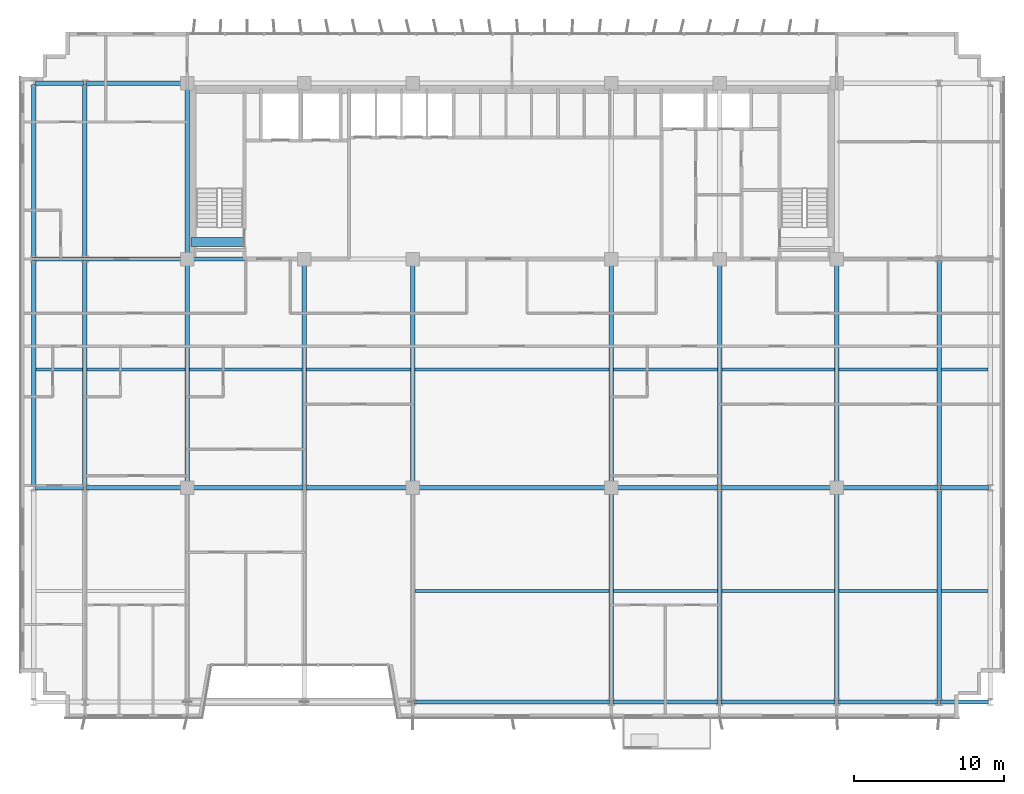
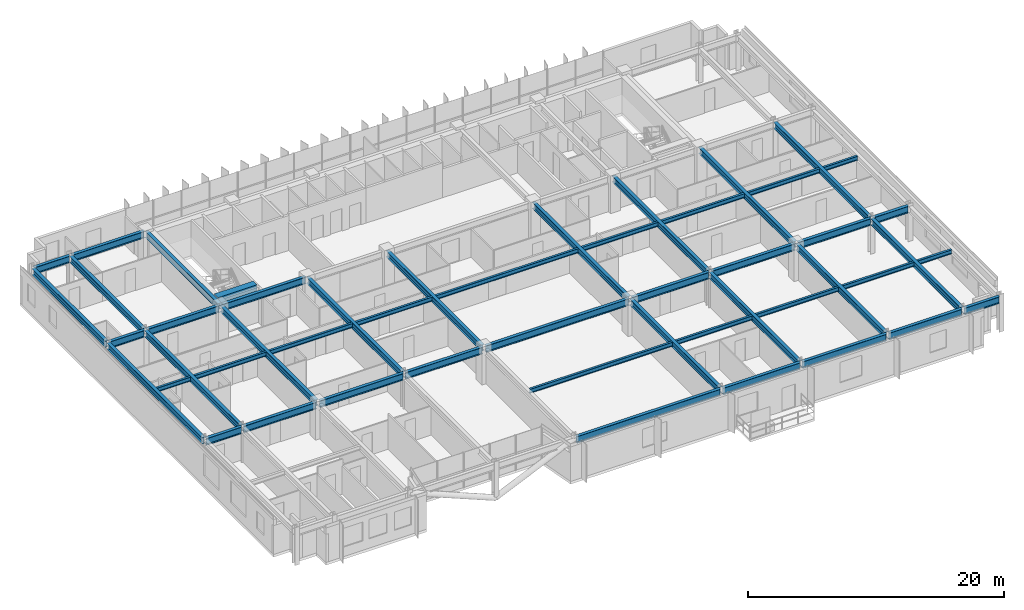
# One storey, part 7 of 25: 50 beams.
"""IFC4 building model written with IfcOpenShell, lengths in metres."""

from ifc_helpers import new_model, si_unit, direction, frame, origin, origin_2d, place, context, subcontext, project, spatial, rectangle, i_section, extrude, source, transform, mapped, material, material_profile, profile_set, type_object, element, save


model = new_model("IFC4")

# Units and contexts
model_context = context("Model", 3, precision=1e-05, world=origin(), true_north=direction((0.0, 1.0)))
body_context = subcontext(model_context, "Body", "Model", "MODEL_VIEW")
ifc_project = project(units=[si_unit("LENGTHUNIT", "METRE"), si_unit("AREAUNIT", "SQUARE_METRE"), si_unit("VOLUMEUNIT", "CUBIC_METRE"), si_unit("PLANEANGLEUNIT", "RADIAN"), si_unit("MASSUNIT", "GRAM", prefix="KILO")], contexts=[model_context])

# Site, building, storey
site_placement = place(None, origin())
site = spatial("IfcSite", under=ifc_project, at=site_placement, CompositionType="ELEMENT")
building_placement = place(site_placement, origin())
building = spatial("IfcBuilding", under=site, at=building_placement, Name="Trelvane Seafront Commons", CompositionType="ELEMENT")
storey_placement = place(building_placement, frame((0.0, 0.0, 66.699951171875)))
storey = spatial("IfcBuildingStorey", under=building, at=storey_placement, Name="L17", CompositionType="ELEMENT", Elevation=66.699951171875)

# Beams
ifc_material_1 = material(Name="Concrete C60/75", Category="concrete")
ifc_material_profile_1 = material_profile(ifc_material_1, rectangle(XDim=0.60009765625, YDim=0.89990234375, at=origin_2d()), Name="RC-600x900")
ifc_profile_set_1 = profile_set([ifc_material_profile_1], Name="Concrete C60/75")
beam_type_1 = type_object("IfcBeamType", Name="STR-LNT-RC600x900", PredefinedType="LINTEL", material=ifc_profile_set_1)
shared_shape_1 = source(origin(), body_context, "Body", "SweptSolid", [
    extrude(rectangle(XDim=0.60009765625, YDim=0.89990234375, at=origin_2d()), origin(), (0.0, 0.0, 1.0), 3.5498046875),
])
beam_1_placement = place(storey_placement, frame((15.85009765625, 34.550048828125, 2.89013671875), z_axis=(1.0, 0.0, 0.0), x_axis=(0.0, 1.0, 0.0)))
element("IfcBeam", 1, at=beam_1_placement, inside=storey, type_object=beam_type_1, Name="L17 Core Coupling Lintel Beam CB-83", PredefinedType="LINTEL", context=body_context, shape_type="MappedRepresentation", body=[
    mapped(shared_shape_1, transform((0.0, 0.0, 0.0), x_axis=(1.0, 0.0, 0.0), y_axis=(0.0, 1.0, 0.0), z_axis=(0.0, 0.0, 1.0), scale=1.0)),
])
ifc_material_2 = material(Name="Steel SM355 (S355)", Category="steel")
ifc_material_profile_2 = material_profile(ifc_material_2, i_section(OverallWidth=0.280029296875, OverallDepth=0.64990234375, WebThickness=0.012939453125, FlangeThickness=0.02197265625, at=origin_2d()), Name="H-650x280x13x22")
ifc_profile_set_2 = profile_set([ifc_material_profile_2], Name="Steel SM355 (S355)")
beam_type_2 = type_object("IfcBeamType", Name="STR-BM-H650", PredefinedType="BEAM", material=ifc_profile_set_2)
shared_shape_2 = source(origin(), body_context, "Body", "SweptSolid", [
    extrude(i_section(OverallWidth=0.280029296875, OverallDepth=0.64990234375, WebThickness=0.012939453125, FlangeThickness=0.02197265625, at=origin_2d()), origin(), (0.0, 0.0, 1.0), 3.190185546875),
])
for number, where, z_axis, x_axis, name in (
    (2, (5.5048828125, 18.199951171875, 3.01513671875), (1.0, 0.0, 0.0), (0.0, 1.0, 0.0), "L17 Primary Girder G-10"),
    (3, (5.5048828125, 33.39990234375, 3.01513671875), (1.0, 0.0, 0.0), (0.0, 1.0, 0.0), "L17 Primary Girder G-19"),
    (4, (5.5048828125, 45.10009765625, 3.01513671875), (1.0, 0.0, 0.0), (0.0, 1.0, 0.0), "L17 Primary Girder G-28"),
):
    element("IfcBeam", number, at=place(storey_placement, frame(where, z_axis=z_axis, x_axis=x_axis)), inside=storey, type_object=beam_type_2, Name=name, PredefinedType="BEAM", context=body_context, shape_type="MappedRepresentation", body=[
        mapped(shared_shape_2, transform((0.0, 0.0, 0.0), x_axis=(1.0, 0.0, 0.0), y_axis=(0.0, 1.0, 0.0), z_axis=(0.0, 0.0, 1.0), scale=1.0)),
    ])
shared_shape_3 = source(origin(), body_context, "Body", "SweptSolid", [
    extrude(i_section(OverallWidth=0.280029296875, OverallDepth=0.64990234375, WebThickness=0.012939453125, FlangeThickness=0.02197265625, at=origin_2d()), origin(), (0.0, 0.0, 1.0), 6.590087890625),
])
beam_2_placement = place(storey_placement, frame((58.905029296875, 3.949951171875, 3.01513671875), z_axis=(1.0, 0.0, 0.0), x_axis=(0.0, 1.0, 0.0)))
element("IfcBeam", 5, at=beam_2_placement, inside=storey, type_object=beam_type_2, Name="L17 Primary Girder G-08", PredefinedType="BEAM", context=body_context, shape_type="MappedRepresentation", body=[
    mapped(shared_shape_3, transform((0.0, 0.0, 0.0), x_axis=(1.0, 0.0, 0.0), y_axis=(0.0, 1.0, 0.0), z_axis=(0.0, 0.0, 1.0), scale=1.0)),
])
shared_shape_4 = source(origin(), body_context, "Body", "SweptSolid", [
    extrude(i_section(OverallWidth=0.280029296875, OverallDepth=0.64990234375, WebThickness=0.012939453125, FlangeThickness=0.02197265625, at=origin_2d()), origin(), (0.0, 0.0, 1.0), 12.989990234375),
])
beam_3_placement = place(storey_placement, frame((30.705078125, 3.949951171875, 3.01513671875), z_axis=(1.0, 0.0, 0.0), x_axis=(0.0, 1.0, 0.0)))
element("IfcBeam", 6, at=beam_3_placement, inside=storey, type_object=beam_type_2, Name="L17 Primary Girder G-05", PredefinedType="BEAM", context=body_context, shape_type="MappedRepresentation", body=[
    mapped(shared_shape_4, transform((0.0, 0.0, 0.0), x_axis=(1.0, 0.0, 0.0), y_axis=(0.0, 1.0, 0.0), z_axis=(0.0, 0.0, 1.0), scale=1.0)),
])
shared_shape_5 = source(origin(), body_context, "Body", "SweptSolid", [
    extrude(i_section(OverallWidth=0.280029296875, OverallDepth=0.64990234375, WebThickness=0.012939453125, FlangeThickness=0.02197265625, at=origin_2d()), origin(), (0.0, 0.0, 1.0), 6.989990234375),
])
beam_4_placement = place(storey_placement, frame((43.905029296875, 3.949951171875, 3.01513671875), z_axis=(1.0, 0.0, 0.0), x_axis=(0.0, 1.0, 0.0)))
element("IfcBeam", 7, at=beam_4_placement, inside=storey, type_object=beam_type_2, Name="L17 Primary Girder G-06", PredefinedType="BEAM", context=body_context, shape_type="MappedRepresentation", body=[
    mapped(shared_shape_5, transform((0.0, 0.0, 0.0), x_axis=(1.0, 0.0, 0.0), y_axis=(0.0, 1.0, 0.0), z_axis=(0.0, 0.0, 1.0), scale=1.0)),
])
shared_shape_6 = source(origin(), body_context, "Body", "SweptSolid", [
    extrude(i_section(OverallWidth=0.280029296875, OverallDepth=0.64990234375, WebThickness=0.012939453125, FlangeThickness=0.02197265625, at=origin_2d()), origin(), (0.0, 0.0, 1.0), 7.590087890625),
])
beam_5_placement = place(storey_placement, frame((51.10498046875, 3.949951171875, 3.01513671875), z_axis=(1.0, 0.0, 0.0), x_axis=(0.0, 1.0, 0.0)))
element("IfcBeam", 8, at=beam_5_placement, inside=storey, type_object=beam_type_2, Name="L17 Primary Girder G-07", PredefinedType="BEAM", context=body_context, shape_type="MappedRepresentation", body=[
    mapped(shared_shape_6, transform((0.0, 0.0, 0.0), x_axis=(1.0, 0.0, 0.0), y_axis=(0.0, 1.0, 0.0), z_axis=(0.0, 0.0, 1.0), scale=1.0)),
])
shared_shape_7 = source(origin(), body_context, "Body", "SweptSolid", [
    extrude(i_section(OverallWidth=0.280029296875, OverallDepth=0.64990234375, WebThickness=0.012939453125, FlangeThickness=0.02197265625, at=origin_2d()), origin(), (0.0, 0.0, 1.0), 3.18994140625),
])
for number, where, z_axis, x_axis, name in (
    (9, (65.705078125, 3.949951171875, 3.01513671875), (1.0, 0.0, 0.0), (0.0, 1.0, 0.0), "L17 Primary Girder G-09"),
    (10, (65.705078125, 18.199951171875, 3.01513671875), (1.0, 0.0, 0.0), (0.0, 1.0, 0.0), "L17 Primary Girder G-18"),
):
    element("IfcBeam", number, at=place(storey_placement, frame(where, z_axis=z_axis, x_axis=x_axis)), inside=storey, type_object=beam_type_2, Name=name, PredefinedType="BEAM", context=body_context, shape_type="MappedRepresentation", body=[
        mapped(shared_shape_7, transform((0.0, 0.0, 0.0), x_axis=(1.0, 0.0, 0.0), y_axis=(0.0, 1.0, 0.0), z_axis=(0.0, 0.0, 1.0), scale=1.0)),
    ])
shared_shape_8 = source(origin(), body_context, "Body", "SweptSolid", [
    extrude(i_section(OverallWidth=0.280029296875, OverallDepth=0.64990234375, WebThickness=0.012939453125, FlangeThickness=0.02197265625, at=origin_2d()), origin(), (0.0, 0.0, 1.0), 6.544921875),
])
for number, where, z_axis, x_axis, name in (
    (11, (8.905029296875, 18.199951171875, 3.01513671875), (1.0, 0.0, 0.0), (0.0, 1.0, 0.0), "L17 Primary Girder G-11"),
    (12, (8.905029296875, 33.39990234375, 3.01513671875), (1.0, 0.0, 0.0), (0.0, 1.0, 0.0), "L17 Primary Girder G-20"),
    (13, (8.905029296875, 45.10009765625, 3.01513671875), (1.0, 0.0, 0.0), (0.0, 1.0, 0.0), "L17 Primary Girder G-29"),
):
    element("IfcBeam", number, at=place(storey_placement, frame(where, z_axis=z_axis, x_axis=x_axis)), inside=storey, type_object=beam_type_2, Name=name, PredefinedType="BEAM", context=body_context, shape_type="MappedRepresentation", body=[
        mapped(shared_shape_8, transform((0.0, 0.0, 0.0), x_axis=(1.0, 0.0, 0.0), y_axis=(0.0, 1.0, 0.0), z_axis=(0.0, 0.0, 1.0), scale=1.0)),
    ])
shared_shape_9 = source(origin(), body_context, "Body", "SweptSolid", [
    extrude(i_section(OverallWidth=0.280029296875, OverallDepth=0.64990234375, WebThickness=0.012939453125, FlangeThickness=0.02197265625, at=origin_2d()), origin(), (0.0, 0.0, 1.0), 7.544921875),
])
for number, where, z_axis, x_axis, name in (
    (14, (15.75, 18.199951171875, 3.01513671875), (1.0, 0.0, 0.0), (0.0, 1.0, 0.0), "L17 Primary Girder G-12"),
    (15, (51.10498046875, 18.199951171875, 3.01513671875), (1.0, 0.0, 0.0), (0.0, 1.0, 0.0), "L17 Primary Girder G-16"),
):
    element("IfcBeam", number, at=place(storey_placement, frame(where, z_axis=z_axis, x_axis=x_axis)), inside=storey, type_object=beam_type_2, Name=name, PredefinedType="BEAM", context=body_context, shape_type="MappedRepresentation", body=[
        mapped(shared_shape_9, transform((0.0, 0.0, 0.0), x_axis=(1.0, 0.0, 0.0), y_axis=(0.0, 1.0, 0.0), z_axis=(0.0, 0.0, 1.0), scale=1.0)),
    ])
shared_shape_10 = source(origin(), body_context, "Body", "SweptSolid", [
    extrude(i_section(OverallWidth=0.280029296875, OverallDepth=0.64990234375, WebThickness=0.012939453125, FlangeThickness=0.02197265625, at=origin_2d()), origin(), (0.0, 0.0, 1.0), 6.945068359375),
])
for number, where, z_axis, x_axis, name in (
    (16, (23.5048828125, 18.199951171875, 3.01513671875), (1.0, 0.0, 0.0), (0.0, 1.0, 0.0), "L17 Primary Girder G-13"),
    (17, (43.949951171875, 18.199951171875, 3.01513671875), (1.0, 0.0, 0.0), (0.0, 1.0, 0.0), "L17 Primary Girder G-15"),
):
    element("IfcBeam", number, at=place(storey_placement, frame(where, z_axis=z_axis, x_axis=x_axis)), inside=storey, type_object=beam_type_2, Name=name, PredefinedType="BEAM", context=body_context, shape_type="MappedRepresentation", body=[
        mapped(shared_shape_10, transform((0.0, 0.0, 0.0), x_axis=(1.0, 0.0, 0.0), y_axis=(0.0, 1.0, 0.0), z_axis=(0.0, 0.0, 1.0), scale=1.0)),
    ])
shared_shape_11 = source(origin(), body_context, "Body", "SweptSolid", [
    extrude(i_section(OverallWidth=0.280029296875, OverallDepth=0.64990234375, WebThickness=0.012939453125, FlangeThickness=0.02197265625, at=origin_2d()), origin(), (0.0, 0.0, 1.0), 12.89990234375),
])
beam_6_placement = place(storey_placement, frame((30.75, 18.199951171875, 3.01513671875), z_axis=(1.0, 0.0, 0.0), x_axis=(0.0, 1.0, 0.0)))
element("IfcBeam", 18, at=beam_6_placement, inside=storey, type_object=beam_type_2, Name="L17 Primary Girder G-14", PredefinedType="BEAM", context=body_context, shape_type="MappedRepresentation", body=[
    mapped(shared_shape_11, transform((0.0, 0.0, 0.0), x_axis=(1.0, 0.0, 0.0), y_axis=(0.0, 1.0, 0.0), z_axis=(0.0, 0.0, 1.0), scale=1.0)),
])
shared_shape_12 = source(origin(), body_context, "Body", "SweptSolid", [
    extrude(i_section(OverallWidth=0.280029296875, OverallDepth=0.64990234375, WebThickness=0.012939453125, FlangeThickness=0.02197265625, at=origin_2d()), origin(), (0.0, 0.0, 1.0), 6.545166015625),
])
beam_7_placement = place(storey_placement, frame((58.949951171875, 18.199951171875, 3.01513671875), z_axis=(1.0, 0.0, 0.0), x_axis=(0.0, 1.0, 0.0)))
element("IfcBeam", 19, at=beam_7_placement, inside=storey, type_object=beam_type_2, Name="L17 Primary Girder G-17", PredefinedType="BEAM", context=body_context, shape_type="MappedRepresentation", body=[
    mapped(shared_shape_12, transform((0.0, 0.0, 0.0), x_axis=(1.0, 0.0, 0.0), y_axis=(0.0, 1.0, 0.0), z_axis=(0.0, 0.0, 1.0), scale=1.0)),
])
shared_shape_13 = source(origin(), body_context, "Body", "SweptSolid", [
    extrude(i_section(OverallWidth=0.280029296875, OverallDepth=0.64990234375, WebThickness=0.012939453125, FlangeThickness=0.02197265625, at=origin_2d()), origin(), (0.0, 0.0, 1.0), 7.5),
])
beam_8_placement = place(storey_placement, frame((15.75, 33.39990234375, 3.01513671875), z_axis=(1.0, 0.0, 0.0), x_axis=(0.0, 1.0, 0.0)))
element("IfcBeam", 20, at=beam_8_placement, inside=storey, type_object=beam_type_2, Name="L17 Primary Girder G-21", PredefinedType="BEAM", context=body_context, shape_type="MappedRepresentation", body=[
    mapped(shared_shape_13, transform((0.0, 0.0, 0.0), x_axis=(1.0, 0.0, 0.0), y_axis=(0.0, 1.0, 0.0), z_axis=(0.0, 0.0, 1.0), scale=1.0)),
])
ifc_material_profile_3 = material_profile(ifc_material_2, i_section(OverallWidth=0.300048828125, OverallDepth=0.587890625, WebThickness=0.011962890625, FlangeThickness=0.02001953125, at=origin_2d()), Name="H-588x300x12x20")
ifc_profile_set_3 = profile_set([ifc_material_profile_3], Name="Steel SM355 (S355)")
beam_type_3 = type_object("IfcBeamType", Name="STR-BM-H588", PredefinedType="BEAM", material=ifc_profile_set_3)
shared_shape_14 = source(origin(), body_context, "Body", "SweptSolid", [
    extrude(i_section(OverallWidth=0.300048828125, OverallDepth=0.587890625, WebThickness=0.011962890625, FlangeThickness=0.02001953125, at=origin_2d()), origin(), (0.0, 0.0, 1.0), 14.0400390625),
])
for number, where, z_axis, x_axis, name in (
    (21, (51.0, 4.054931640625, 3.046142578125), (0.0, 1.0, 0.0), (-1.0, 0.0, 0.0), "L17 Primary Girder G-55"),
    (22, (65.60009765625, 4.054931640625, 3.046142578125), (0.0, 1.0, 0.0), (-1.0, 0.0, 0.0), "L17 Primary Girder G-61"),
):
    element("IfcBeam", number, at=place(storey_placement, frame(where, z_axis=z_axis, x_axis=x_axis)), inside=storey, type_object=beam_type_3, Name=name, PredefinedType="BEAM", context=body_context, shape_type="MappedRepresentation", body=[
        mapped(shared_shape_14, transform((0.0, 0.0, 0.0), x_axis=(1.0, 0.0, 0.0), y_axis=(0.0, 1.0, 0.0), z_axis=(0.0, 0.0, 1.0), scale=1.0)),
    ])
shared_shape_15 = source(origin(), body_context, "Body", "SweptSolid", [
    extrude(i_section(OverallWidth=0.300048828125, OverallDepth=0.587890625, WebThickness=0.011962890625, FlangeThickness=0.02001953125, at=origin_2d()), origin(), (0.0, 0.0, 1.0), 14.989990234375),
])
for number, where, z_axis, x_axis, name in (
    (23, (5.39990234375, 18.304931640625, 3.046142578125), (0.0, 1.0, 0.0), (-1.0, 0.0, 0.0), "L17 Primary Girder G-38"),
    (24, (8.800048828125, 18.304931640625, 3.046142578125), (0.0, 1.0, 0.0), (-1.0, 0.0, 0.0), "L17 Primary Girder G-41"),
    (25, (65.60009765625, 18.304931640625, 3.046142578125), (0.0, 1.0, 0.0), (-1.0, 0.0, 0.0), "L17 Primary Girder G-62"),
):
    element("IfcBeam", number, at=place(storey_placement, frame(where, z_axis=z_axis, x_axis=x_axis)), inside=storey, type_object=beam_type_3, Name=name, PredefinedType="BEAM", context=body_context, shape_type="MappedRepresentation", body=[
        mapped(shared_shape_15, transform((0.0, 0.0, 0.0), x_axis=(1.0, 0.0, 0.0), y_axis=(0.0, 1.0, 0.0), z_axis=(0.0, 0.0, 1.0), scale=1.0)),
    ])
shared_shape_16 = source(origin(), body_context, "Body", "SweptSolid", [
    extrude(i_section(OverallWidth=0.300048828125, OverallDepth=0.587890625, WebThickness=0.011962890625, FlangeThickness=0.02001953125, at=origin_2d()), origin(), (0.0, 0.0, 1.0), 11.490234375),
])
for number, where, z_axis, x_axis, name in (
    (26, (5.39990234375, 33.5048828125, 3.046142578125), (0.0, 1.0, 0.0), (-1.0, 0.0, 0.0), "L17 Primary Girder G-39"),
    (27, (8.800048828125, 33.5048828125, 3.046142578125), (0.0, 1.0, 0.0), (-1.0, 0.0, 0.0), "L17 Primary Girder G-42"),
):
    element("IfcBeam", number, at=place(storey_placement, frame(where, z_axis=z_axis, x_axis=x_axis)), inside=storey, type_object=beam_type_3, Name=name, PredefinedType="BEAM", context=body_context, shape_type="MappedRepresentation", body=[
        mapped(shared_shape_16, transform((0.0, 0.0, 0.0), x_axis=(1.0, 0.0, 0.0), y_axis=(0.0, 1.0, 0.0), z_axis=(0.0, 0.0, 1.0), scale=1.0)),
    ])
shared_shape_17 = source(origin(), body_context, "Body", "SweptSolid", [
    extrude(i_section(OverallWidth=0.300048828125, OverallDepth=0.587890625, WebThickness=0.011962890625, FlangeThickness=0.02001953125, at=origin_2d()), origin(), (0.0, 0.0, 1.0), 13.9951171875),
])
for number, where, z_axis, x_axis, name in (
    (28, (43.800048828125, 4.054931640625, 3.046142578125), (0.0, 1.0, 0.0), (-1.0, 0.0, 0.0), "L17 Primary Girder G-52"),
    (29, (58.800048828125, 4.054931640625, 3.046142578125), (0.0, 1.0, 0.0), (-1.0, 0.0, 0.0), "L17 Primary Girder G-58"),
):
    element("IfcBeam", number, at=place(storey_placement, frame(where, z_axis=z_axis, x_axis=x_axis)), inside=storey, type_object=beam_type_3, Name=name, PredefinedType="BEAM", context=body_context, shape_type="MappedRepresentation", body=[
        mapped(shared_shape_17, transform((0.0, 0.0, 0.0), x_axis=(1.0, 0.0, 0.0), y_axis=(0.0, 1.0, 0.0), z_axis=(0.0, 0.0, 1.0), scale=1.0)),
    ])
shared_shape_18 = source(origin(), body_context, "Body", "SweptSolid", [
    extrude(i_section(OverallWidth=0.300048828125, OverallDepth=0.587890625, WebThickness=0.011962890625, FlangeThickness=0.02001953125, at=origin_2d()), origin(), (0.0, 0.0, 1.0), 14.89990234375),
])
for number, where, z_axis, x_axis, name in (
    (30, (15.60009765625, 18.35009765625, 3.046142578125), (0.0, 1.0, 0.0), (-1.0, 0.0, 0.0), "L17 Primary Girder G-44"),
    (31, (30.60009765625, 18.35009765625, 3.046142578125), (0.0, 1.0, 0.0), (-1.0, 0.0, 0.0), "L17 Primary Girder G-50"),
    (32, (43.800048828125, 18.35009765625, 3.046142578125), (0.0, 1.0, 0.0), (-1.0, 0.0, 0.0), "L17 Primary Girder G-53"),
    (33, (58.800048828125, 18.35009765625, 3.046142578125), (0.0, 1.0, 0.0), (-1.0, 0.0, 0.0), "L17 Primary Girder G-59"),
):
    element("IfcBeam", number, at=place(storey_placement, frame(where, z_axis=z_axis, x_axis=x_axis)), inside=storey, type_object=beam_type_3, Name=name, PredefinedType="BEAM", context=body_context, shape_type="MappedRepresentation", body=[
        mapped(shared_shape_18, transform((0.0, 0.0, 0.0), x_axis=(1.0, 0.0, 0.0), y_axis=(0.0, 1.0, 0.0), z_axis=(0.0, 0.0, 1.0), scale=1.0)),
    ])
shared_shape_19 = source(origin(), body_context, "Body", "SweptSolid", [
    extrude(i_section(OverallWidth=0.300048828125, OverallDepth=0.587890625, WebThickness=0.011962890625, FlangeThickness=0.02001953125, at=origin_2d()), origin(), (0.0, 0.0, 1.0), 11.39990234375),
])
beam_9_placement = place(storey_placement, frame((15.60009765625, 33.550048828125, 3.046142578125), z_axis=(0.0, 1.0, 0.0), x_axis=(-1.0, 0.0, 0.0)))
element("IfcBeam", 34, at=beam_9_placement, inside=storey, type_object=beam_type_3, Name="L17 Primary Girder G-45", PredefinedType="BEAM", context=body_context, shape_type="MappedRepresentation", body=[
    mapped(shared_shape_19, transform((0.0, 0.0, 0.0), x_axis=(1.0, 0.0, 0.0), y_axis=(0.0, 1.0, 0.0), z_axis=(0.0, 0.0, 1.0), scale=1.0)),
])
shared_shape_20 = source(origin(), body_context, "Body", "SweptSolid", [
    extrude(i_section(OverallWidth=0.300048828125, OverallDepth=0.587890625, WebThickness=0.011962890625, FlangeThickness=0.02001953125, at=origin_2d()), origin(), (0.0, 0.0, 1.0), 14.945068359375),
])
for number, where, z_axis, x_axis, name in (
    (35, (23.39990234375, 18.304931640625, 3.046142578125), (0.0, 1.0, 0.0), (-1.0, 0.0, 0.0), "L17 Primary Girder G-47"),
    (36, (51.0, 18.304931640625, 3.046142578125), (0.0, 1.0, 0.0), (-1.0, 0.0, 0.0), "L17 Primary Girder G-56"),
):
    element("IfcBeam", number, at=place(storey_placement, frame(where, z_axis=z_axis, x_axis=x_axis)), inside=storey, type_object=beam_type_3, Name=name, PredefinedType="BEAM", context=body_context, shape_type="MappedRepresentation", body=[
        mapped(shared_shape_20, transform((0.0, 0.0, 0.0), x_axis=(1.0, 0.0, 0.0), y_axis=(0.0, 1.0, 0.0), z_axis=(0.0, 0.0, 1.0), scale=1.0)),
    ])
ifc_material_profile_4 = material_profile(ifc_material_2, i_section(OverallWidth=0.199951171875, OverallDepth=0.39990234375, WebThickness=0.008056640625, FlangeThickness=0.012939453125, at=origin_2d()), Name="H-400x200x8x13")
ifc_profile_set_4 = profile_set([ifc_material_profile_4], Name="Steel SM355 (S355)")
beam_type_4 = type_object("IfcBeamType", Name="STR-JST-H400", PredefinedType="JOIST", material=ifc_profile_set_4)
shared_shape_21 = source(origin(), body_context, "Body", "SweptSolid", [
    extrude(i_section(OverallWidth=0.199951171875, OverallDepth=0.39990234375, WebThickness=0.008056640625, FlangeThickness=0.012939453125, at=origin_2d()), origin(), (0.0, 0.0, 1.0), 3.099853515625),
])
beam_10_placement = place(storey_placement, frame((5.550048828125, 26.050048828125, 3.14013671875), z_axis=(1.0, 0.0, 0.0), x_axis=(0.0, 1.0, 0.0)))
element("IfcBeam", 37, at=beam_10_placement, inside=storey, type_object=beam_type_4, Name="L17 Secondary Floor Joist B-74", PredefinedType="JOIST", context=body_context, shape_type="MappedRepresentation", body=[
    mapped(shared_shape_21, transform((0.0, 0.0, 0.0), x_axis=(1.0, 0.0, 0.0), y_axis=(0.0, 1.0, 0.0), z_axis=(0.0, 0.0, 1.0), scale=1.0)),
])
shared_shape_22 = source(origin(), body_context, "Body", "SweptSolid", [
    extrude(i_section(OverallWidth=0.199951171875, OverallDepth=0.39990234375, WebThickness=0.008056640625, FlangeThickness=0.012939453125, at=origin_2d()), origin(), (0.0, 0.0, 1.0), 6.5),
])
for number, where, z_axis, x_axis, name in (
    (38, (58.949951171875, 11.324951171875, 3.14013671875), (1.0, 0.0, 0.0), (0.0, 1.0, 0.0), "L17 Secondary Floor Joist B-72"),
    (39, (8.949951171875, 26.050048828125, 3.14013671875), (1.0, 0.0, 0.0), (0.0, 1.0, 0.0), "L17 Secondary Floor Joist B-75"),
    (40, (58.949951171875, 26.050048828125, 3.14013671875), (1.0, 0.0, 0.0), (0.0, 1.0, 0.0), "L17 Secondary Floor Joist B-81"),
):
    element("IfcBeam", number, at=place(storey_placement, frame(where, z_axis=z_axis, x_axis=x_axis)), inside=storey, type_object=beam_type_4, Name=name, PredefinedType="JOIST", context=body_context, shape_type="MappedRepresentation", body=[
        mapped(shared_shape_22, transform((0.0, 0.0, 0.0), x_axis=(1.0, 0.0, 0.0), y_axis=(0.0, 1.0, 0.0), z_axis=(0.0, 0.0, 1.0), scale=1.0)),
    ])
shared_shape_23 = source(origin(), body_context, "Body", "SweptSolid", [
    extrude(i_section(OverallWidth=0.199951171875, OverallDepth=0.39990234375, WebThickness=0.008056640625, FlangeThickness=0.012939453125, at=origin_2d()), origin(), (0.0, 0.0, 1.0), 7.5),
])
for number, where, z_axis, x_axis, name in (
    (41, (51.14990234375, 11.324951171875, 3.14013671875), (1.0, 0.0, 0.0), (0.0, 1.0, 0.0), "L17 Secondary Floor Joist B-71"),
    (42, (15.75, 26.050048828125, 3.14013671875), (1.0, 0.0, 0.0), (0.0, 1.0, 0.0), "L17 Secondary Floor Joist B-76"),
    (43, (51.14990234375, 26.050048828125, 3.14013671875), (1.0, 0.0, 0.0), (0.0, 1.0, 0.0), "L17 Secondary Floor Joist B-80"),
):
    element("IfcBeam", number, at=place(storey_placement, frame(where, z_axis=z_axis, x_axis=x_axis)), inside=storey, type_object=beam_type_4, Name=name, PredefinedType="JOIST", context=body_context, shape_type="MappedRepresentation", body=[
        mapped(shared_shape_23, transform((0.0, 0.0, 0.0), x_axis=(1.0, 0.0, 0.0), y_axis=(0.0, 1.0, 0.0), z_axis=(0.0, 0.0, 1.0), scale=1.0)),
    ])
shared_shape_24 = source(origin(), body_context, "Body", "SweptSolid", [
    extrude(i_section(OverallWidth=0.199951171875, OverallDepth=0.39990234375, WebThickness=0.008056640625, FlangeThickness=0.012939453125, at=origin_2d()), origin(), (0.0, 0.0, 1.0), 6.89990234375),
])
beam_11_placement = place(storey_placement, frame((23.550048828125, 26.050048828125, 3.14013671875), z_axis=(1.0, 0.0, 0.0), x_axis=(0.0, 1.0, 0.0)))
element("IfcBeam", 44, at=beam_11_placement, inside=storey, type_object=beam_type_4, Name="L17 Secondary Floor Joist B-77", PredefinedType="JOIST", context=body_context, shape_type="MappedRepresentation", body=[
    mapped(shared_shape_24, transform((0.0, 0.0, 0.0), x_axis=(1.0, 0.0, 0.0), y_axis=(0.0, 1.0, 0.0), z_axis=(0.0, 0.0, 1.0), scale=1.0)),
])
shared_shape_25 = source(origin(), body_context, "Body", "SweptSolid", [
    extrude(i_section(OverallWidth=0.199951171875, OverallDepth=0.39990234375, WebThickness=0.008056640625, FlangeThickness=0.012939453125, at=origin_2d()), origin(), (0.0, 0.0, 1.0), 12.89990234375),
])
for number, where, z_axis, x_axis, name in (
    (45, (30.75, 11.324951171875, 3.14013671875), (1.0, 0.0, 0.0), (0.0, 1.0, 0.0), "L17 Secondary Floor Joist B-69"),
    (46, (30.75, 26.050048828125, 3.14013671875), (1.0, 0.0, 0.0), (0.0, 1.0, 0.0), "L17 Secondary Floor Joist B-78"),
):
    element("IfcBeam", number, at=place(storey_placement, frame(where, z_axis=z_axis, x_axis=x_axis)), inside=storey, type_object=beam_type_4, Name=name, PredefinedType="JOIST", context=body_context, shape_type="MappedRepresentation", body=[
        mapped(shared_shape_25, transform((0.0, 0.0, 0.0), x_axis=(1.0, 0.0, 0.0), y_axis=(0.0, 1.0, 0.0), z_axis=(0.0, 0.0, 1.0), scale=1.0)),
    ])
shared_shape_26 = source(origin(), body_context, "Body", "SweptSolid", [
    extrude(i_section(OverallWidth=0.199951171875, OverallDepth=0.39990234375, WebThickness=0.008056640625, FlangeThickness=0.012939453125, at=origin_2d()), origin(), (0.0, 0.0, 1.0), 6.900146484375),
])
for number, where, z_axis, x_axis, name in (
    (47, (43.949951171875, 11.324951171875, 3.14013671875), (1.0, 0.0, 0.0), (0.0, 1.0, 0.0), "L17 Secondary Floor Joist B-70"),
    (48, (43.949951171875, 26.050048828125, 3.14013671875), (1.0, 0.0, 0.0), (0.0, 1.0, 0.0), "L17 Secondary Floor Joist B-79"),
):
    element("IfcBeam", number, at=place(storey_placement, frame(where, z_axis=z_axis, x_axis=x_axis)), inside=storey, type_object=beam_type_4, Name=name, PredefinedType="JOIST", context=body_context, shape_type="MappedRepresentation", body=[
        mapped(shared_shape_26, transform((0.0, 0.0, 0.0), x_axis=(1.0, 0.0, 0.0), y_axis=(0.0, 1.0, 0.0), z_axis=(0.0, 0.0, 1.0), scale=1.0)),
    ])
shared_shape_27 = source(origin(), body_context, "Body", "SweptSolid", [
    extrude(i_section(OverallWidth=0.199951171875, OverallDepth=0.39990234375, WebThickness=0.008056640625, FlangeThickness=0.012939453125, at=origin_2d()), origin(), (0.0, 0.0, 1.0), 3.10009765625),
])
for number, where, z_axis, x_axis, name in (
    (49, (65.75, 11.324951171875, 3.14013671875), (1.0, 0.0, 0.0), (0.0, 1.0, 0.0), "L17 Secondary Floor Joist B-73"),
    (50, (65.75, 26.050048828125, 3.14013671875), (1.0, 0.0, 0.0), (0.0, 1.0, 0.0), "L17 Secondary Floor Joist B-82"),
):
    element("IfcBeam", number, at=place(storey_placement, frame(where, z_axis=z_axis, x_axis=x_axis)), inside=storey, type_object=beam_type_4, Name=name, PredefinedType="JOIST", context=body_context, shape_type="MappedRepresentation", body=[
        mapped(shared_shape_27, transform((0.0, 0.0, 0.0), x_axis=(1.0, 0.0, 0.0), y_axis=(0.0, 1.0, 0.0), z_axis=(0.0, 0.0, 1.0), scale=1.0)),
    ])

save(model, "model.ifc")
